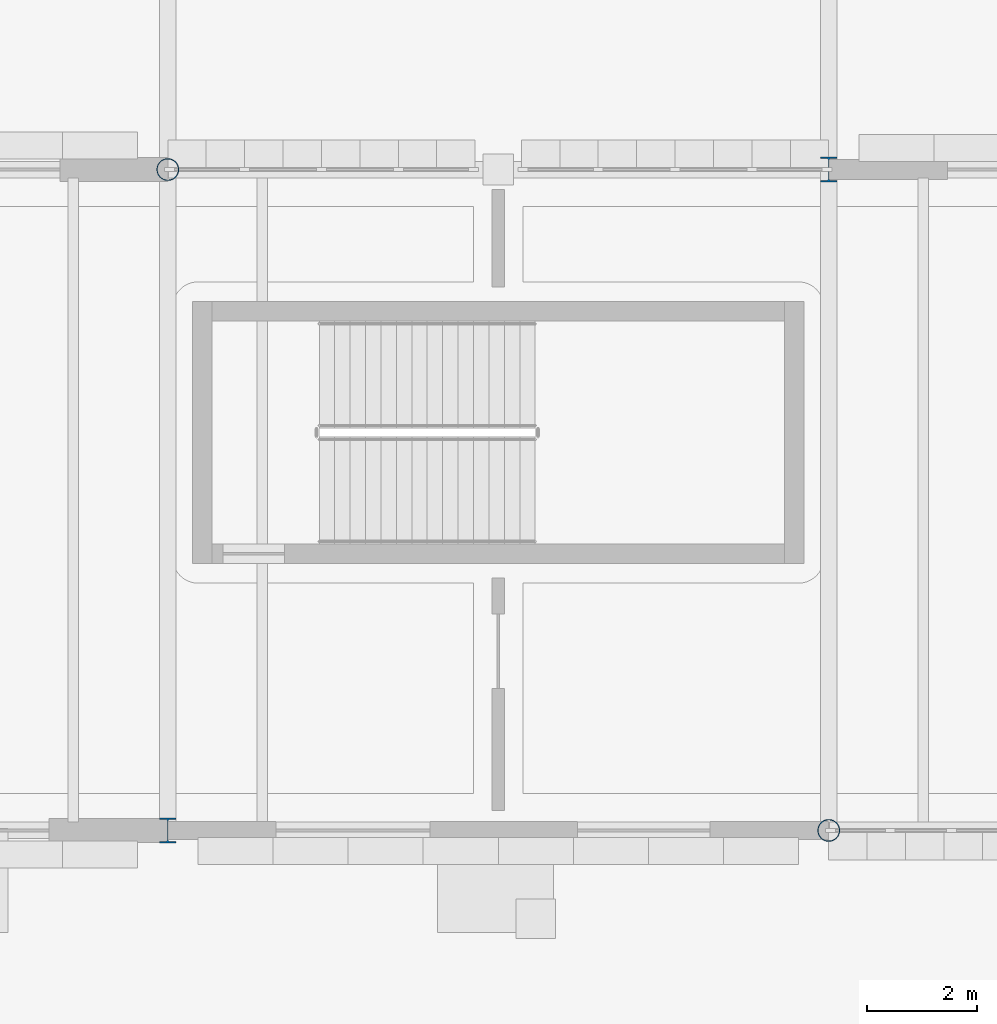
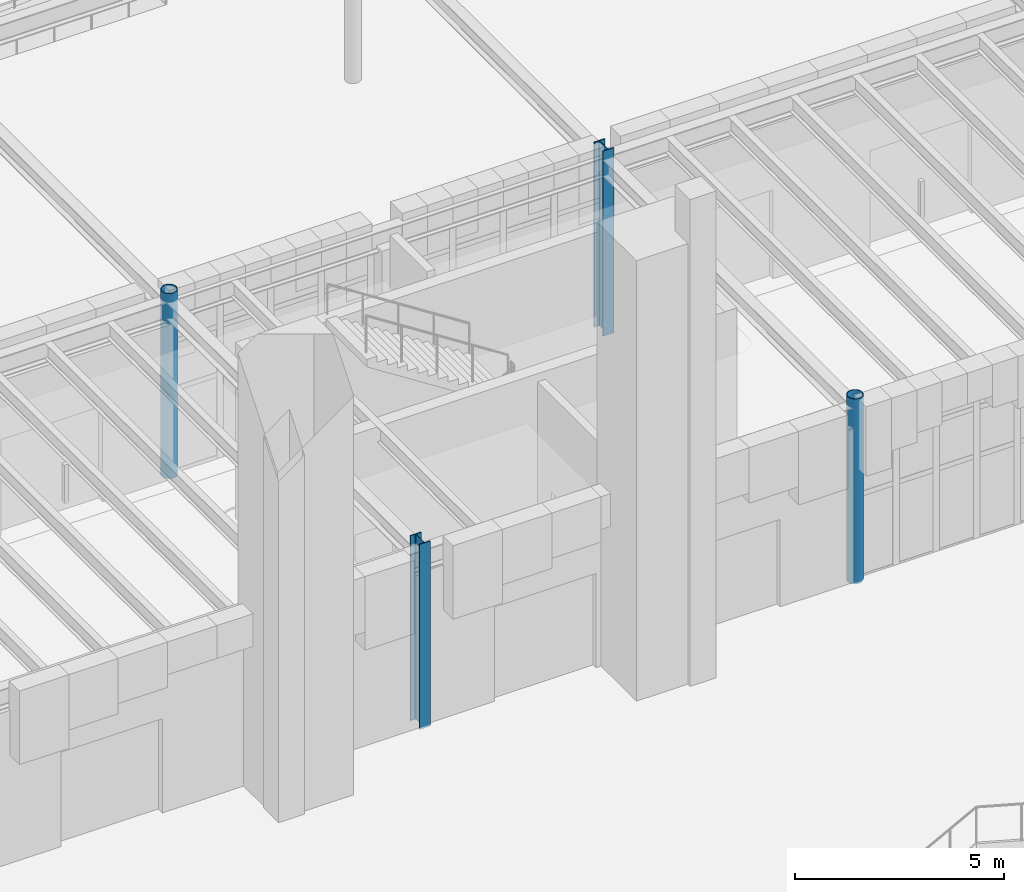
# One storey, part 8 of 103: 4 columns.
"""IFC4 building model written with IfcOpenShell, lengths in metres."""

from ifc_helpers import new_model, si_unit, direction, frame, origin, origin_2d, place, context, subcontext, project, spatial, hollow_circle, i_section, extrude, material, material_profile, profile_set, type_object, element, save


model = new_model("IFC4")

# Units and contexts
model_context = context("Model", 3, precision=1e-05, world=origin(), true_north=direction((0.0, 1.0)))
body_context = subcontext(model_context, "Body", "Model", "MODEL_VIEW")
ifc_project = project(units=[si_unit("LENGTHUNIT", "METRE"), si_unit("AREAUNIT", "SQUARE_METRE"), si_unit("VOLUMEUNIT", "CUBIC_METRE"), si_unit("PLANEANGLEUNIT", "RADIAN"), si_unit("MASSUNIT", "GRAM", prefix="KILO")], contexts=[model_context])

# Site, building, storey
site_placement = place(None, origin())
site = spatial("IfcSite", under=ifc_project, at=site_placement, CompositionType="ELEMENT")
building_placement = place(site_placement, origin())
building = spatial("IfcBuilding", under=site, at=building_placement, Name="Zlatogorsky Bluff Art Gallery", CompositionType="ELEMENT")
storey_placement = place(building_placement, origin())
storey = spatial("IfcBuildingStorey", under=building, at=storey_placement, Name="L00", CompositionType="ELEMENT", Elevation=0.0)

# Columns
ifc_material = material(Name="Steel S355", Category="steel")
ifc_material_profile_1 = material_profile(ifc_material, i_section(OverallWidth=0.300048828125, OverallDepth=0.449951171875, WebThickness=0.013916015625, FlangeThickness=0.02587890625, FilletRadius=0.027099609375, at=origin_2d()), Name="HEB 450")
ifc_profile_set_1 = profile_set([ifc_material_profile_1], Name="Steel S355")
column_type_1 = type_object("IfcColumnType", Name="Column CL-03 HEB 450", PredefinedType="COLUMN", material=ifc_profile_set_1)
for number, where, z_axis, x_axis, name in (
    (1, (72.0, 84.0, 0.0), (0.0, 0.0, 1.0), (1.0, 0.0, 0.0), "Column CL-03 L00 G9"),
    (2, (84.0, 96.0, 0.0), (0.0, 0.0, 1.0), (1.0, 0.0, 0.0), "Column CL-03 L00 H10"),
):
    element("IfcColumn", number, at=place(storey_placement, frame(where, z_axis=z_axis, x_axis=x_axis)), inside=storey, type_object=column_type_1, Name=name, PredefinedType="COLUMN", context=body_context, shape_type="SweptSolid", body=[
        extrude(i_section(OverallWidth=0.300048828125, OverallDepth=0.449951171875, WebThickness=0.013916015625, FlangeThickness=0.02587890625, FilletRadius=0.027099609375, at=origin_2d()), origin(), (0.0, 0.0, 1.0), 5.39990234375),
    ])
ifc_material_profile_2 = material_profile(ifc_material, hollow_circle(Radius=0.203125, WallThickness=0.01611328125, at=origin_2d()), Name="CHS 406.4x16")
ifc_profile_set_2 = profile_set([ifc_material_profile_2], Name="Steel S355")
column_type_2 = type_object("IfcColumnType", Name="Column CL-09 CHS 406.4x16", PredefinedType="COLUMN", material=ifc_profile_set_2)
for number, where, z_axis, x_axis, name in (
    (3, (72.0, 96.0, 0.0), (0.0, 0.0, 1.0), (1.0, 0.0, 0.0), "Column CL-09 L00 G10"),
    (4, (84.0, 84.0, 0.0), (0.0, 0.0, 1.0), (1.0, 0.0, 0.0), "Column CL-09 L00 H9"),
):
    element("IfcColumn", number, at=place(storey_placement, frame(where, z_axis=z_axis, x_axis=x_axis)), inside=storey, type_object=column_type_2, Name=name, PredefinedType="COLUMN", context=body_context, shape_type="SweptSolid", body=[
        extrude(hollow_circle(Radius=0.203125, WallThickness=0.01611328125, at=origin_2d()), origin(), (0.0, 0.0, 1.0), 5.39990234375),
    ])

save(model, "model.ifc")
